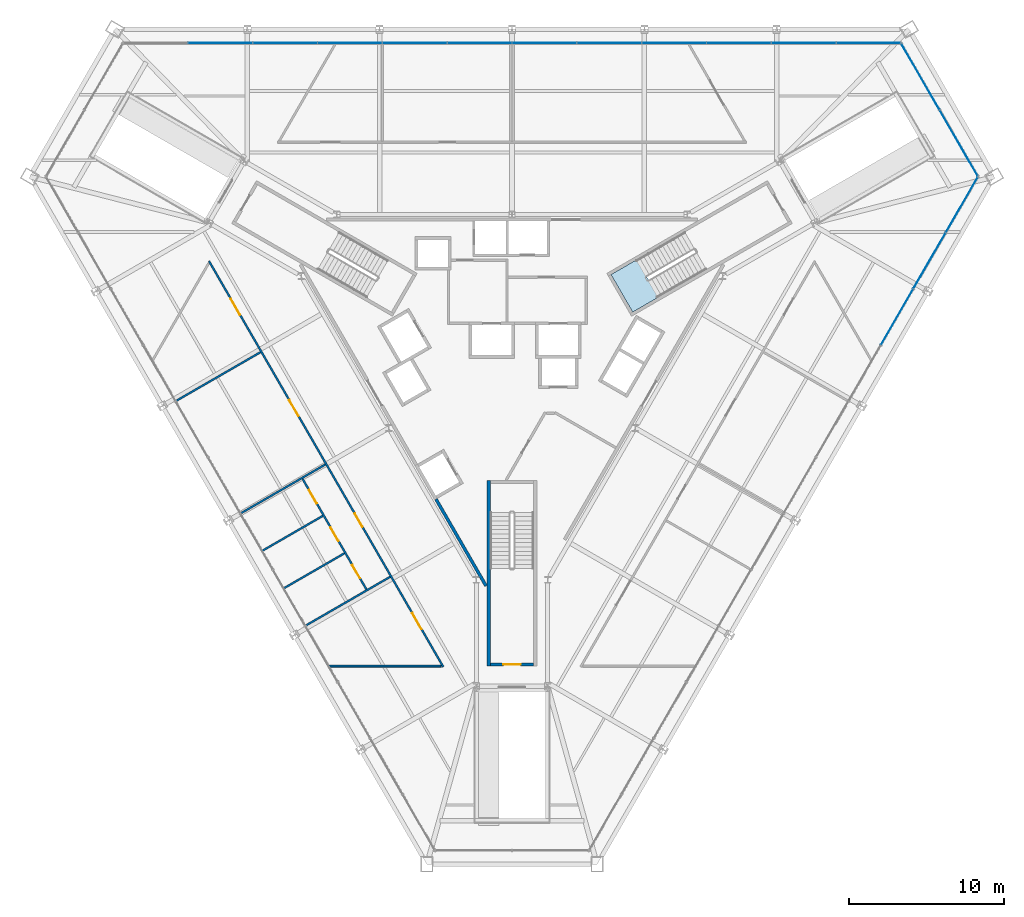
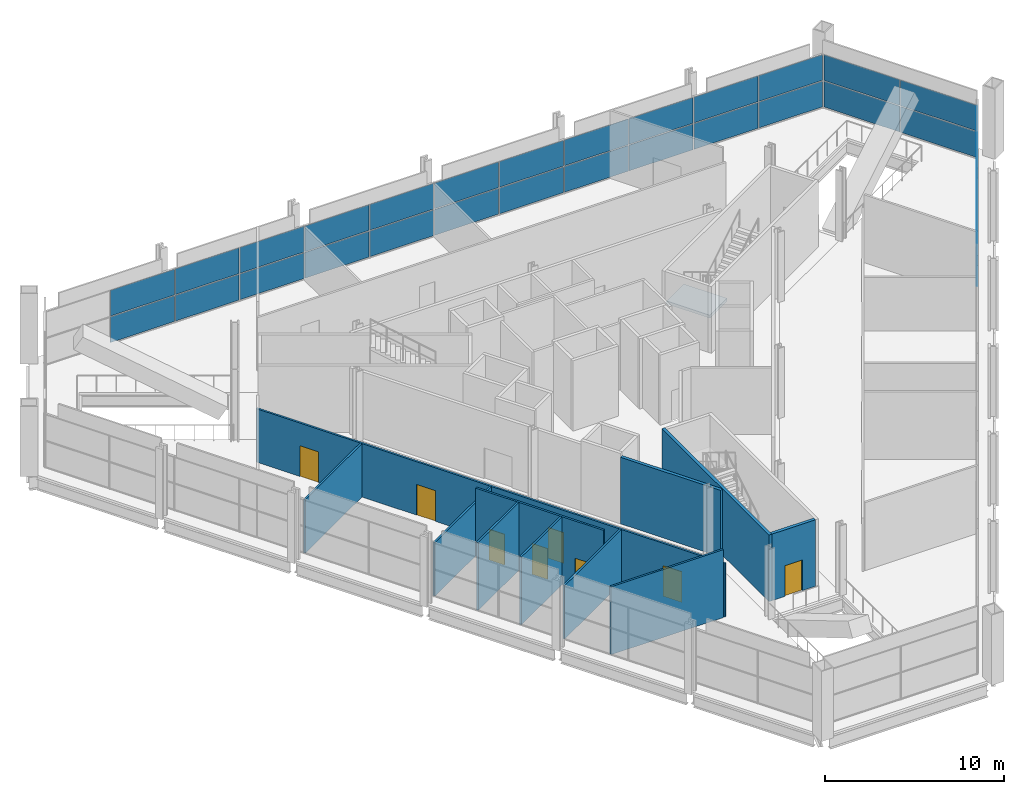
# One storey, part 12 of 18: 32 plates, 11 walls, 8 doors, 1 slab, 8 openings, 4 elements without a shape of their own.
"""IFC4 building model written with IfcOpenShell, lengths in metres."""

from ifc_helpers import new_model, si_unit, direction, frame, frame_2d, origin, origin_2d, place, context, subcontext, project, spatial, polyline, rectangle, outline, extrude, material, layer, layer_set, type_object, element, fill, aggregate, save


model = new_model("IFC4")

# Units and contexts
model_context = context("Model", 3, precision=1e-05, world=origin(), true_north=direction((0.0, 1.0)))
body_context = subcontext(model_context, "Body", "Model", "MODEL_VIEW")
ifc_project = project(units=[si_unit("LENGTHUNIT", "METRE"), si_unit("AREAUNIT", "SQUARE_METRE"), si_unit("VOLUMEUNIT", "CUBIC_METRE"), si_unit("PLANEANGLEUNIT", "RADIAN"), si_unit("MASSUNIT", "GRAM", prefix="KILO")], contexts=[model_context])

# Site, building, storey
site_placement = place(None, origin())
site = spatial("IfcSite", under=ifc_project, at=site_placement, CompositionType="ELEMENT")
building_placement = place(site_placement, origin())
building = spatial("IfcBuilding", under=site, at=building_placement, Name="Verrane Prism Tower", CompositionType="ELEMENT")
storey_placement = place(building_placement, frame((0.0, 0.0, 22.39990234375)))
storey = spatial("IfcBuildingStorey", under=building, at=storey_placement, Name="L03", CompositionType="ELEMENT", Elevation=22.39990234375)

# Curtain wall, plates
ifc_material_1 = material(Name="Aluminium and glass curtain wall", Category="aluminium")
ifc_layer_1 = layer(ifc_material_1, 0.199951171875)
ifc_layer_set_1 = layer_set([ifc_layer_1], Name="CWB-1 retail curtain wall")
curtain_wall_type = type_object("IfcCurtainWallType", Name="CWB-1 retail curtain wall", PredefinedType="NOTDEFINED", material=ifc_layer_set_1)
curtain_wall_1_placement = place(storey_placement, origin())
curtain_wall_1 = element("IfcCurtainWall", 1, at=curtain_wall_1_placement, inside=storey, type_object=curtain_wall_type, Name="Retail curtain wall L03 1", PredefinedType="NOTDEFINED")
ifc_material_2 = material(Name="Glass double glazed low-e", Category="glass")
ifc_layer_2 = layer(ifc_material_2, 0.028076171875)
ifc_layer_set_2 = layer_set([ifc_layer_2], Name="CWB-P 28 mm low-e glass panel")
plate_type = type_object("IfcPlateType", Name="CWB-P 28 mm low-e glass panel", PredefinedType="CURTAIN_PANEL", material=ifc_layer_set_2)
plate_1_placement = place(storey_placement, frame((28.875732421875, 13.813232421875, 0.06005859375), z_axis=(0.0, 0.0, 1.0), x_axis=(-0.499999190758, 0.866025871, 0.0)))
plate_1 = element("IfcPlate", 2, at=plate_1_placement, type_object=plate_type, Name="CWB31 panel 1.1", PredefinedType="CURTAIN_PANEL", context=body_context, shape_type="SweptSolid", body=[
    extrude(rectangle(XDim=4.890380859375, YDim=0.028076171875, at=origin_2d()), origin(), (0.0, 0.0, 1.0), 1.7548828125),
])
plate_2_placement = place(storey_placement, frame((28.875732421875, 13.813232421875, 1.875244140625), z_axis=(0.0, 0.0, 1.0), x_axis=(-0.499999190758, 0.866025871, 0.0)))
plate_2 = element("IfcPlate", 3, at=plate_2_placement, type_object=plate_type, Name="CWB31 panel 1.2", PredefinedType="CURTAIN_PANEL", context=body_context, shape_type="SweptSolid", body=[
    extrude(rectangle(XDim=4.890380859375, YDim=0.028076171875, at=origin_2d()), origin(), (0.0, 0.0, 1.0), 1.7548828125),
])
plate_3_placement = place(storey_placement, frame((26.400390625, 18.100341796875, 0.06005859375), z_axis=(0.0, 0.0, 1.0), x_axis=(-0.499999190758, 0.866025871, 0.0)))
plate_3 = element("IfcPlate", 4, at=plate_3_placement, type_object=plate_type, Name="CWB31 panel 2.1", PredefinedType="CURTAIN_PANEL", context=body_context, shape_type="SweptSolid", body=[
    extrude(rectangle(XDim=4.890380859375, YDim=0.028076171875, at=origin_2d()), origin(), (0.0, 0.0, 1.0), 1.7548828125),
])
plate_4_placement = place(storey_placement, frame((26.400390625, 18.100341796875, 1.875244140625), z_axis=(0.0, 0.0, 1.0), x_axis=(-0.499999190758, 0.866025871, 0.0)))
plate_4 = element("IfcPlate", 5, at=plate_4_placement, type_object=plate_type, Name="CWB31 panel 2.2", PredefinedType="CURTAIN_PANEL", context=body_context, shape_type="SweptSolid", body=[
    extrude(rectangle(XDim=4.890380859375, YDim=0.028076171875, at=origin_2d()), origin(), (0.0, 0.0, 1.0), 1.7548828125),
])
aggregate(curtain_wall_1, [plate_1, plate_2, plate_3, plate_4])

curtain_wall_2_placement = place(storey_placement, origin())
curtain_wall_2 = element("IfcCurtainWall", 6, at=curtain_wall_2_placement, inside=storey, type_object=curtain_wall_type, Name="Retail curtain wall L03 2", PredefinedType="NOTDEFINED")
plate_5_placement = place(storey_placement, frame((23.037109375, 20.27001953125, 0.06005859375), z_axis=(0.0, 0.0, 1.0), x_axis=(-1.0, 0.0, 0.0)))
plate_5 = element("IfcPlate", 7, at=plate_5_placement, type_object=plate_type, Name="CWB32 panel 1.1", PredefinedType="CURTAIN_PANEL", context=body_context, shape_type="SweptSolid", body=[
    extrude(rectangle(XDim=4.101318359375, YDim=0.028076171875, at=origin_2d()), origin(), (0.0, 0.0, 1.0), 1.7548828125),
])
plate_6_placement = place(storey_placement, frame((23.037109375, 20.27001953125, 1.875244140625), z_axis=(0.0, 0.0, 1.0), x_axis=(-1.0, 0.0, 0.0)))
plate_6 = element("IfcPlate", 8, at=plate_6_placement, type_object=plate_type, Name="CWB32 panel 1.2", PredefinedType="CURTAIN_PANEL", context=body_context, shape_type="SweptSolid", body=[
    extrude(rectangle(XDim=4.101318359375, YDim=0.028076171875, at=origin_2d()), origin(), (0.0, 0.0, 1.0), 1.7548828125),
])
plate_7_placement = place(storey_placement, frame((18.86083984375, 20.27001953125, 0.06005859375), z_axis=(0.0, 0.0, 1.0), x_axis=(-1.0, 0.0, 0.0)))
plate_7 = element("IfcPlate", 9, at=plate_7_placement, type_object=plate_type, Name="CWB32 panel 2.1", PredefinedType="CURTAIN_PANEL", context=body_context, shape_type="SweptSolid", body=[
    extrude(rectangle(XDim=4.13134765625, YDim=0.028076171875, at=origin_2d()), origin(), (0.0, 0.0, 1.0), 1.7548828125),
])
plate_8_placement = place(storey_placement, frame((18.86083984375, 20.27001953125, 1.875244140625), z_axis=(0.0, 0.0, 1.0), x_axis=(-1.0, 0.0, 0.0)))
plate_8 = element("IfcPlate", 10, at=plate_8_placement, type_object=plate_type, Name="CWB32 panel 2.2", PredefinedType="CURTAIN_PANEL", context=body_context, shape_type="SweptSolid", body=[
    extrude(rectangle(XDim=4.13134765625, YDim=0.028076171875, at=origin_2d()), origin(), (0.0, 0.0, 1.0), 1.7548828125),
])
plate_9_placement = place(storey_placement, frame((14.669677734375, 20.27001953125, 0.06005859375), z_axis=(0.0, 0.0, 1.0), x_axis=(-1.0, 0.0, 0.0)))
plate_9 = element("IfcPlate", 11, at=plate_9_placement, type_object=plate_type, Name="CWB32 panel 3.1", PredefinedType="CURTAIN_PANEL", context=body_context, shape_type="SweptSolid", body=[
    extrude(rectangle(XDim=4.13134765625, YDim=0.028076171875, at=origin_2d()), origin(), (0.0, 0.0, 1.0), 1.7548828125),
])
plate_10_placement = place(storey_placement, frame((14.669677734375, 20.27001953125, 1.875244140625), z_axis=(0.0, 0.0, 1.0), x_axis=(-1.0, 0.0, 0.0)))
plate_10 = element("IfcPlate", 12, at=plate_10_placement, type_object=plate_type, Name="CWB32 panel 3.2", PredefinedType="CURTAIN_PANEL", context=body_context, shape_type="SweptSolid", body=[
    extrude(rectangle(XDim=4.13134765625, YDim=0.028076171875, at=origin_2d()), origin(), (0.0, 0.0, 1.0), 1.7548828125),
])
plate_11_placement = place(storey_placement, frame((10.478271484375, 20.27001953125, 0.06005859375), z_axis=(0.0, 0.0, 1.0), x_axis=(-1.0, 0.0, 0.0)))
plate_11 = element("IfcPlate", 13, at=plate_11_placement, type_object=plate_type, Name="CWB32 panel 4.1", PredefinedType="CURTAIN_PANEL", context=body_context, shape_type="SweptSolid", body=[
    extrude(rectangle(XDim=4.13134765625, YDim=0.028076171875, at=origin_2d()), origin(), (0.0, 0.0, 1.0), 1.7548828125),
])
plate_12_placement = place(storey_placement, frame((10.478271484375, 20.27001953125, 1.875244140625), z_axis=(0.0, 0.0, 1.0), x_axis=(-1.0, 0.0, 0.0)))
plate_12 = element("IfcPlate", 14, at=plate_12_placement, type_object=plate_type, Name="CWB32 panel 4.2", PredefinedType="CURTAIN_PANEL", context=body_context, shape_type="SweptSolid", body=[
    extrude(rectangle(XDim=4.13134765625, YDim=0.028076171875, at=origin_2d()), origin(), (0.0, 0.0, 1.0), 1.7548828125),
])
plate_13_placement = place(storey_placement, frame((6.286865234375, 20.27001953125, 0.06005859375), z_axis=(0.0, 0.0, 1.0), x_axis=(-1.0, 0.0, 0.0)))
plate_13 = element("IfcPlate", 15, at=plate_13_placement, type_object=plate_type, Name="CWB32 panel 5.1", PredefinedType="CURTAIN_PANEL", context=body_context, shape_type="SweptSolid", body=[
    extrude(rectangle(XDim=4.13134765625, YDim=0.028076171875, at=origin_2d()), origin(), (0.0, 0.0, 1.0), 1.7548828125),
])
plate_14_placement = place(storey_placement, frame((6.286865234375, 20.27001953125, 1.875244140625), z_axis=(0.0, 0.0, 1.0), x_axis=(-1.0, 0.0, 0.0)))
plate_14 = element("IfcPlate", 16, at=plate_14_placement, type_object=plate_type, Name="CWB32 panel 5.2", PredefinedType="CURTAIN_PANEL", context=body_context, shape_type="SweptSolid", body=[
    extrude(rectangle(XDim=4.13134765625, YDim=0.028076171875, at=origin_2d()), origin(), (0.0, 0.0, 1.0), 1.7548828125),
])
plate_15_placement = place(storey_placement, frame((2.095703125, 20.27001953125, 0.06005859375), z_axis=(0.0, 0.0, 1.0), x_axis=(-1.0, 0.0, 0.0)))
plate_15 = element("IfcPlate", 17, at=plate_15_placement, type_object=plate_type, Name="CWB32 panel 6.1", PredefinedType="CURTAIN_PANEL", context=body_context, shape_type="SweptSolid", body=[
    extrude(rectangle(XDim=4.13134765625, YDim=0.028076171875, at=origin_2d()), origin(), (0.0, 0.0, 1.0), 1.7548828125),
])
plate_16_placement = place(storey_placement, frame((2.095703125, 20.27001953125, 1.875244140625), z_axis=(0.0, 0.0, 1.0), x_axis=(-1.0, 0.0, 0.0)))
plate_16 = element("IfcPlate", 18, at=plate_16_placement, type_object=plate_type, Name="CWB32 panel 6.2", PredefinedType="CURTAIN_PANEL", context=body_context, shape_type="SweptSolid", body=[
    extrude(rectangle(XDim=4.13134765625, YDim=0.028076171875, at=origin_2d()), origin(), (0.0, 0.0, 1.0), 1.7548828125),
])
plate_17_placement = place(storey_placement, frame((-2.095703125, 20.27001953125, 0.06005859375), z_axis=(0.0, 0.0, 1.0), x_axis=(-1.0, 0.0, 0.0)))
plate_17 = element("IfcPlate", 19, at=plate_17_placement, type_object=plate_type, Name="CWB32 panel 7.1", PredefinedType="CURTAIN_PANEL", context=body_context, shape_type="SweptSolid", body=[
    extrude(rectangle(XDim=4.13134765625, YDim=0.028076171875, at=origin_2d()), origin(), (0.0, 0.0, 1.0), 1.7548828125),
])
plate_18_placement = place(storey_placement, frame((-2.095703125, 20.27001953125, 1.875244140625), z_axis=(0.0, 0.0, 1.0), x_axis=(-1.0, 0.0, 0.0)))
plate_18 = element("IfcPlate", 20, at=plate_18_placement, type_object=plate_type, Name="CWB32 panel 7.2", PredefinedType="CURTAIN_PANEL", context=body_context, shape_type="SweptSolid", body=[
    extrude(rectangle(XDim=4.13134765625, YDim=0.028076171875, at=origin_2d()), origin(), (0.0, 0.0, 1.0), 1.7548828125),
])
plate_19_placement = place(storey_placement, frame((-6.286865234375, 20.27001953125, 0.06005859375), z_axis=(0.0, 0.0, 1.0), x_axis=(-1.0, 0.0, 0.0)))
plate_19 = element("IfcPlate", 21, at=plate_19_placement, type_object=plate_type, Name="CWB32 panel 8.1", PredefinedType="CURTAIN_PANEL", context=body_context, shape_type="SweptSolid", body=[
    extrude(rectangle(XDim=4.13134765625, YDim=0.028076171875, at=origin_2d()), origin(), (0.0, 0.0, 1.0), 1.7548828125),
])
plate_20_placement = place(storey_placement, frame((-6.286865234375, 20.27001953125, 1.875244140625), z_axis=(0.0, 0.0, 1.0), x_axis=(-1.0, 0.0, 0.0)))
plate_20 = element("IfcPlate", 22, at=plate_20_placement, type_object=plate_type, Name="CWB32 panel 8.2", PredefinedType="CURTAIN_PANEL", context=body_context, shape_type="SweptSolid", body=[
    extrude(rectangle(XDim=4.13134765625, YDim=0.028076171875, at=origin_2d()), origin(), (0.0, 0.0, 1.0), 1.7548828125),
])
plate_21_placement = place(storey_placement, frame((-10.478271484375, 20.27001953125, 0.06005859375), z_axis=(0.0, 0.0, 1.0), x_axis=(-1.0, 0.0, 0.0)))
plate_21 = element("IfcPlate", 23, at=plate_21_placement, type_object=plate_type, Name="CWB32 panel 9.1", PredefinedType="CURTAIN_PANEL", context=body_context, shape_type="SweptSolid", body=[
    extrude(rectangle(XDim=4.13134765625, YDim=0.028076171875, at=origin_2d()), origin(), (0.0, 0.0, 1.0), 1.7548828125),
])
plate_22_placement = place(storey_placement, frame((-10.478271484375, 20.27001953125, 1.875244140625), z_axis=(0.0, 0.0, 1.0), x_axis=(-1.0, 0.0, 0.0)))
plate_22 = element("IfcPlate", 24, at=plate_22_placement, type_object=plate_type, Name="CWB32 panel 9.2", PredefinedType="CURTAIN_PANEL", context=body_context, shape_type="SweptSolid", body=[
    extrude(rectangle(XDim=4.13134765625, YDim=0.028076171875, at=origin_2d()), origin(), (0.0, 0.0, 1.0), 1.7548828125),
])
plate_23_placement = place(storey_placement, frame((-14.669677734375, 20.27001953125, 0.06005859375), z_axis=(0.0, 0.0, 1.0), x_axis=(-1.0, 0.0, 0.0)))
plate_23 = element("IfcPlate", 25, at=plate_23_placement, type_object=plate_type, Name="CWB32 panel 10.1", PredefinedType="CURTAIN_PANEL", context=body_context, shape_type="SweptSolid", body=[
    extrude(rectangle(XDim=4.13134765625, YDim=0.028076171875, at=origin_2d()), origin(), (0.0, 0.0, 1.0), 1.7548828125),
])
plate_24_placement = place(storey_placement, frame((-14.669677734375, 20.27001953125, 1.875244140625), z_axis=(0.0, 0.0, 1.0), x_axis=(-1.0, 0.0, 0.0)))
plate_24 = element("IfcPlate", 26, at=plate_24_placement, type_object=plate_type, Name="CWB32 panel 10.2", PredefinedType="CURTAIN_PANEL", context=body_context, shape_type="SweptSolid", body=[
    extrude(rectangle(XDim=4.13134765625, YDim=0.028076171875, at=origin_2d()), origin(), (0.0, 0.0, 1.0), 1.7548828125),
])
plate_25_placement = place(storey_placement, frame((-18.86083984375, 20.27001953125, 0.06005859375), z_axis=(0.0, 0.0, 1.0), x_axis=(-1.0, 0.0, 0.0)))
plate_25 = element("IfcPlate", 27, at=plate_25_placement, type_object=plate_type, Name="CWB32 panel 11.1", PredefinedType="CURTAIN_PANEL", context=body_context, shape_type="SweptSolid", body=[
    extrude(rectangle(XDim=4.13134765625, YDim=0.028076171875, at=origin_2d()), origin(), (0.0, 0.0, 1.0), 1.7548828125),
])
plate_26_placement = place(storey_placement, frame((-18.86083984375, 20.27001953125, 1.875244140625), z_axis=(0.0, 0.0, 1.0), x_axis=(-1.0, 0.0, 0.0)))
plate_26 = element("IfcPlate", 28, at=plate_26_placement, type_object=plate_type, Name="CWB32 panel 11.2", PredefinedType="CURTAIN_PANEL", context=body_context, shape_type="SweptSolid", body=[
    extrude(rectangle(XDim=4.13134765625, YDim=0.028076171875, at=origin_2d()), origin(), (0.0, 0.0, 1.0), 1.7548828125),
])
aggregate(curtain_wall_2, [plate_5, plate_6, plate_7, plate_8, plate_9, plate_10, plate_11, plate_12, plate_13, plate_14, plate_15, plate_16, plate_17, plate_18, plate_19, plate_20, plate_21, plate_22, plate_23, plate_24, plate_25, plate_26])

curtain_wall_3_placement = place(storey_placement, origin())
curtain_wall_3 = element("IfcCurtainWall", 29, at=curtain_wall_3_placement, inside=storey, type_object=curtain_wall_type, Name="Retail curtain wall L03 6", PredefinedType="NOTDEFINED")
plate_27_placement = place(storey_placement, frame((24.88916015625, 2.5693359375, 0.06005859375), z_axis=(0.0, 0.0, 1.0), x_axis=(0.50000011897, 0.866025335097, 0.0)))
plate_27 = element("IfcPlate", 30, at=plate_27_placement, type_object=plate_type, Name="CWB36 panel 10.1", PredefinedType="CURTAIN_PANEL", context=body_context, shape_type="SweptSolid", body=[
    extrude(rectangle(XDim=4.13134765625, YDim=0.028076171875, at=origin_2d()), origin(), (0.0, 0.0, 1.0), 1.7548828125),
])
plate_28_placement = place(storey_placement, frame((24.88916015625, 2.5693359375, 1.875244140625), z_axis=(0.0, 0.0, 1.0), x_axis=(0.50000011897, 0.866025335097, 0.0)))
plate_28 = element("IfcPlate", 31, at=plate_28_placement, type_object=plate_type, Name="CWB36 panel 10.2", PredefinedType="CURTAIN_PANEL", context=body_context, shape_type="SweptSolid", body=[
    extrude(rectangle(XDim=4.13134765625, YDim=0.028076171875, at=origin_2d()), origin(), (0.0, 0.0, 1.0), 1.7548828125),
])
plate_29_placement = place(storey_placement, frame((26.98486328125, 6.198974609375, 0.06005859375), z_axis=(0.0, 0.0, 1.0), x_axis=(0.50000011897, 0.866025335097, 0.0)))
plate_29 = element("IfcPlate", 32, at=plate_29_placement, type_object=plate_type, Name="CWB36 panel 11.1", PredefinedType="CURTAIN_PANEL", context=body_context, shape_type="SweptSolid", body=[
    extrude(rectangle(XDim=4.13134765625, YDim=0.028076171875, at=origin_2d()), origin(), (0.0, 0.0, 1.0), 1.7548828125),
])
plate_30_placement = place(storey_placement, frame((26.98486328125, 6.198974609375, 1.875244140625), z_axis=(0.0, 0.0, 1.0), x_axis=(0.50000011897, 0.866025335097, 0.0)))
plate_30 = element("IfcPlate", 33, at=plate_30_placement, type_object=plate_type, Name="CWB36 panel 11.2", PredefinedType="CURTAIN_PANEL", context=body_context, shape_type="SweptSolid", body=[
    extrude(rectangle(XDim=4.13134765625, YDim=0.028076171875, at=origin_2d()), origin(), (0.0, 0.0, 1.0), 1.7548828125),
])
plate_31_placement = place(storey_placement, frame((29.072998046875, 9.81591796875, 0.06005859375), z_axis=(0.0, 0.0, 1.0), x_axis=(0.50000011897, 0.866025335097, 0.0)))
plate_31 = element("IfcPlate", 34, at=plate_31_placement, type_object=plate_type, Name="CWB36 panel 12.1", PredefinedType="CURTAIN_PANEL", context=body_context, shape_type="SweptSolid", body=[
    extrude(rectangle(XDim=4.101318359375, YDim=0.028076171875, at=origin_2d()), origin(), (0.0, 0.0, 1.0), 1.7548828125),
])
plate_32_placement = place(storey_placement, frame((29.072998046875, 9.81591796875, 1.875244140625), z_axis=(0.0, 0.0, 1.0), x_axis=(0.50000011897, 0.866025335097, 0.0)))
plate_32 = element("IfcPlate", 35, at=plate_32_placement, type_object=plate_type, Name="CWB36 panel 12.2", PredefinedType="CURTAIN_PANEL", context=body_context, shape_type="SweptSolid", body=[
    extrude(rectangle(XDim=4.101318359375, YDim=0.028076171875, at=origin_2d()), origin(), (0.0, 0.0, 1.0), 1.7548828125),
])
aggregate(curtain_wall_3, [plate_27, plate_28, plate_29, plate_30, plate_31, plate_32])

# Stair, slab
ifc_material_3 = material(Name="Concrete C40/50", Category="concrete")
stair_type = type_object("IfcStairType", Name="Exit stair 1300 dog-leg precast concrete C40/50", PredefinedType="HALF_TURN_STAIR", material=ifc_material_3)
stair_placement = place(storey_placement, origin())
stair = element("IfcStair", 36, at=stair_placement, inside=storey, type_object=stair_type, Name="Stair 1 L03", PredefinedType="HALF_TURN_STAIR")
ifc_material_4 = material(Name="Concrete C40/50", Category="concrete")
ifc_layer_3 = layer(ifc_material_4, 0.199951171875)
ifc_layer_set_3 = layer_set([ifc_layer_3], Name="Stair landing 200 precast concrete C40/50")
slab_type = type_object("IfcSlabType", Name="Stair landing 200 precast concrete C40/50", PredefinedType="LANDING", material=ifc_layer_set_3)
slab_placement = place(storey_placement, frame((0.0, 0.0, 2.2001953125)))
slab = element("IfcSlab", 37, at=slab_placement, type_object=slab_type, Name="Stair 1 landing 1", PredefinedType="LANDING", context=body_context, shape_type="SweptSolid", body=[
    extrude(outline(polyline([(8.064208984375, 6.2724609375), (6.4013671875, 5.3125), (7.801513671875, 2.887451171875), (9.464111328125, 3.84765625), (8.064208984375, 6.2724609375)])), origin(), (0.0, 0.0, 1.0), 0.199951171875),
])
aggregate(stair, [slab])

# Walls
ifc_material_5 = material(Name="Gypsum board partition", Category="other")
ifc_layer_4 = layer(ifc_material_5, 0.125)
ifc_layer_set_4 = layer_set([ifc_layer_4], Name="BW-125 demising wall 1 h")
wall_type_1 = type_object("IfcWallType", Name="BW-125 demising wall 1 h", PredefinedType="PARTITIONING", material=ifc_layer_set_4)
wall_1_placement = place(storey_placement, frame((-21.74609375, -2.875, 0.0), z_axis=(0.0, 0.0, 1.0), x_axis=(0.866118237319, 0.499839173118, 0.0)))
element("IfcWall", 38, at=wall_1_placement, inside=storey, type_object=wall_type_1, Name="Demising wall 002", PredefinedType="PARTITIONING", context=body_context, shape_type="SweptSolid", body=[
    extrude(rectangle(XDim=6.33740234375, YDim=0.125, at=frame_2d((3.168701171875, 0.0))), origin(), (0.0, 0.0, 1.0), 3.653076171875),
])
ifc_material_6 = material(Name="Gypsum board partition", Category="other")
ifc_layer_5 = layer(ifc_material_6, 0.125)
ifc_layer_set_5 = layer_set([ifc_layer_5], Name="BW-125 plumbing wall")
wall_type_2 = type_object("IfcWallType", Name="BW-125 plumbing wall", PredefinedType="PARTITIONING", material=ifc_layer_set_5)
wall_2_placement = place(storey_placement, frame((-17.553955078125, -10.135009765625, 0.0), z_axis=(0.0, 0.0, 1.0), x_axis=(0.866003371142, 0.500038159714, 0.0)))
element("IfcWall", 39, at=wall_2_placement, inside=storey, type_object=wall_type_2, Name="Plumbing wall 004", PredefinedType="PARTITIONING", context=body_context, shape_type="SweptSolid", body=[
    extrude(rectangle(XDim=6.3369140625, YDim=0.125, at=frame_2d((3.16845703125, 0.0))), origin(), (0.0, 0.0, 1.0), 3.653076171875),
])
wall_3_placement = place(storey_placement, frame((-16.156982421875, -12.554931640625, 0.0), z_axis=(0.0, 0.0, 1.0), x_axis=(0.866009042838, 0.50002833692, 0.0)))
element("IfcWall", 40, at=wall_3_placement, inside=storey, type_object=wall_type_2, Name="Plumbing wall 005", PredefinedType="PARTITIONING", context=body_context, shape_type="SweptSolid", body=[
    extrude(rectangle(XDim=4.536865234375, YDim=0.125, at=frame_2d((2.2685546875, 0.0))), origin(), (0.0, 0.0, 1.0), 4.64013671875),
])
wall_4_placement = place(storey_placement, frame((-14.760009765625, -14.97509765625, 0.0), z_axis=(0.0, 0.0, 1.0), x_axis=(0.866030417568, 0.499991315771, 0.0)))
element("IfcWall", 41, at=wall_4_placement, inside=storey, type_object=wall_type_2, Name="Plumbing wall 008", PredefinedType="PARTITIONING", context=body_context, shape_type="SweptSolid", body=[
    extrude(rectangle(XDim=4.53271484375, YDim=0.125, at=frame_2d((2.266357421875, 0.0))), origin(), (0.0, 0.0, 1.0), 4.64013671875),
])

# Wall, openings, doors
wall_5_placement = place(storey_placement, frame((-9.41015625, -15.040771484375, 0.0), z_axis=(0.0, 0.0, 1.0), x_axis=(-0.500068128175, 0.865986066391, 0.0)))
wall_5 = element("IfcWall", 42, at=wall_5_placement, inside=storey, type_object=wall_type_2, Name="Plumbing wall 009", PredefinedType="PARTITIONING", context=body_context, shape_type="SweptSolid", body=[
    extrude(rectangle(XDim=8.253173828125, YDim=0.125, at=frame_2d((4.12646484375, 0.0))), origin(), (0.0, 0.0, 1.0), 4.64013671875),
])
opening_1_placement = place(wall_5_placement, frame((6.4208984375, 0.0, 0.0)))
opening_1 = element("IfcOpeningElement", 43, at=opening_1_placement, cuts=wall_5, Name="Opening D03007", PredefinedType="OPENING", context=body_context, shape_type="SweptSolid", body=[
    extrude(rectangle(XDim=1.0, YDim=2.10009765625, at=frame_2d((0.5, 1.050048828125))), frame((0.0, 0.072509765625, 0.0), z_axis=(0.0, -1.0, 0.0), x_axis=(1.0, 0.0, 0.0)), (0.0, 0.0, 1.0), 0.14501953125),
])
opening_2_placement = place(wall_5_placement, frame((3.626953125, 0.0, 0.0)))
opening_2 = element("IfcOpeningElement", 44, at=opening_2_placement, cuts=wall_5, Name="Opening D03008", PredefinedType="OPENING", context=body_context, shape_type="SweptSolid", body=[
    extrude(rectangle(XDim=1.0, YDim=2.10009765625, at=frame_2d((0.5, 1.050048828125))), frame((0.0, 0.072509765625, 0.0), z_axis=(0.0, -1.0, 0.0), x_axis=(1.0, 0.0, 0.0)), (0.0, 0.0, 1.0), 0.14501953125),
])
opening_3_placement = place(wall_5_placement, frame((0.831787109375, 0.0, 0.0)))
opening_3 = element("IfcOpeningElement", 45, at=opening_3_placement, cuts=wall_5, Name="Opening D03009", PredefinedType="OPENING", context=body_context, shape_type="SweptSolid", body=[
    extrude(rectangle(XDim=1.0, YDim=2.10009765625, at=frame_2d((0.5, 1.050048828125))), frame((0.0, 0.072509765625, 0.0), z_axis=(0.0, -1.0, 0.0), x_axis=(1.0, 0.0, 0.0)), (0.0, 0.0, 1.0), 0.14501953125),
])
ifc_material_7 = material(Name="Timber veneered door leaf", Category="wood")
door_type_1 = type_object("IfcDoorType", Name="DR-1000x2100 single leaf room", OperationType="NOTDEFINED", PredefinedType="DOOR", material=ifc_material_7)
door_1_placement = place(opening_1_placement, origin())
door_1 = element("IfcDoor", 46, at=door_1_placement, inside=storey, type_object=door_type_1, Name="Door Men's WC 03SW", OperationType="SINGLE_SWING_RIGHT", OverallHeight=2.10009765625, OverallWidth=1.0, PredefinedType="DOOR", context=body_context, shape_type="SweptSolid", body=[
    extrude(rectangle(XDim=1.0, YDim=2.10009765625, at=frame_2d((0.5, 1.050048828125))), frame((0.0, 0.02490234375, 0.0), z_axis=(0.0, -1.0, 0.0), x_axis=(1.0, 0.0, 0.0)), (0.0, 0.0, 1.0), 0.050048828125),
])
fill(opening_1, door_1)
door_2_placement = place(opening_2_placement, origin())
door_2 = element("IfcDoor", 47, at=door_2_placement, inside=storey, type_object=door_type_1, Name="Door Women's WC 03SW", OperationType="SINGLE_SWING_LEFT", OverallHeight=2.10009765625, OverallWidth=1.0, PredefinedType="DOOR", context=body_context, shape_type="SweptSolid", body=[
    extrude(rectangle(XDim=1.0, YDim=2.10009765625, at=frame_2d((0.5, 1.050048828125))), frame((0.0, 0.02490234375, 0.0), z_axis=(0.0, -1.0, 0.0), x_axis=(1.0, 0.0, 0.0)), (0.0, 0.0, 1.0), 0.050048828125),
])
fill(opening_2, door_2)
door_3_placement = place(opening_3_placement, origin())
door_3 = element("IfcDoor", 48, at=door_3_placement, inside=storey, type_object=door_type_1, Name="Door Accessible WC 03SW", OperationType="SINGLE_SWING_RIGHT", OverallHeight=2.10009765625, OverallWidth=1.0, PredefinedType="DOOR", context=body_context, shape_type="SweptSolid", body=[
    extrude(rectangle(XDim=1.0, YDim=2.10009765625, at=frame_2d((0.5, 1.050048828125))), frame((0.0, 0.02490234375, 0.0), z_axis=(0.0, -1.0, 0.0), x_axis=(1.0, 0.0, 0.0)), (0.0, 0.0, 1.0), 0.050048828125),
])
fill(opening_3, door_3)

# Wall
wall_6_placement = place(storey_placement, frame((-13.363037109375, -17.39501953125, 0.0), z_axis=(0.0, 0.0, 1.0), x_axis=(0.866044997331, 0.499966061446, 0.0)))
element("IfcWall", 49, at=wall_6_placement, inside=storey, type_object=wall_type_2, Name="Plumbing wall 010", PredefinedType="PARTITIONING", context=body_context, shape_type="SweptSolid", body=[
    extrude(rectangle(XDim=6.3330078125, YDim=0.125, at=frame_2d((3.16650390625, 0.0))), origin(), (0.0, 0.0, 1.0), 3.653076171875),
])

# Wall, openings, doors
ifc_material_8 = material(Name="Gypsum board partition", Category="other")
ifc_layer_6 = layer(ifc_material_8, 0.125)
ifc_layer_set_6 = layer_set([ifc_layer_6], Name="BW-125 shopfront wall 1 h")
wall_type_3 = type_object("IfcWallType", Name="BW-125 shopfront wall 1 h", PredefinedType="PARTITIONING", material=ifc_layer_set_6)
wall_7_placement = place(storey_placement, frame((-4.437744140625, -20.05419921875, 0.0), z_axis=(0.0, 0.0, 1.0), x_axis=(-0.499994028088, 0.866028851642, 0.0)))
wall_7 = element("IfcWall", 50, at=wall_7_placement, inside=storey, type_object=wall_type_3, Name="Shopfront wall 003", PredefinedType="PARTITIONING", context=body_context, shape_type="SweptSolid", body=[
    extrude(rectangle(XDim=30.297119140625, YDim=0.125, at=frame_2d((15.1484375, 0.0))), origin(), (0.0, 0.0, 1.0), 3.653076171875),
])
opening_4_placement = place(wall_7_placement, frame((26.28466796875, 0.0, 0.0)))
opening_4 = element("IfcOpeningElement", 51, at=opening_4_placement, cuts=wall_7, Name="Opening D03004", PredefinedType="OPENING", context=body_context, shape_type="SweptSolid", body=[
    extrude(rectangle(XDim=1.199951171875, YDim=2.10009765625, at=frame_2d((0.60009765625, 1.050048828125))), frame((0.0, 0.072509765625, 0.0), z_axis=(0.0, -1.0, 0.0), x_axis=(1.0, 0.0, 0.0)), (0.0, 0.0, 1.0), 0.14501953125),
])
opening_5_placement = place(wall_7_placement, frame((18.730712890625, 0.0, 0.0)))
opening_5 = element("IfcOpeningElement", 52, at=opening_5_placement, cuts=wall_7, Name="Opening D03005", PredefinedType="OPENING", context=body_context, shape_type="SweptSolid", body=[
    extrude(rectangle(XDim=1.199951171875, YDim=2.10009765625, at=frame_2d((0.60009765625, 1.050048828125))), frame((0.0, 0.072509765625, 0.0), z_axis=(0.0, -1.0, 0.0), x_axis=(1.0, 0.0, 0.0)), (0.0, 0.0, 1.0), 0.14501953125),
])
opening_6_placement = place(wall_7_placement, frame((10.44873046875, 0.0, 0.0)))
opening_6 = element("IfcOpeningElement", 53, at=opening_6_placement, cuts=wall_7, Name="Opening D03006", PredefinedType="OPENING", context=body_context, shape_type="SweptSolid", body=[
    extrude(rectangle(XDim=1.0, YDim=2.10009765625, at=frame_2d((0.5, 1.050048828125))), frame((0.0, 0.072509765625, 0.0), z_axis=(0.0, -1.0, 0.0), x_axis=(1.0, 0.0, 0.0)), (0.0, 0.0, 1.0), 0.14501953125),
])
opening_7_placement = place(wall_7_placement, frame((2.815673828125, 0.0, 0.0)))
opening_7 = element("IfcOpeningElement", 54, at=opening_7_placement, cuts=wall_7, Name="Opening D03010", PredefinedType="OPENING", context=body_context, shape_type="SweptSolid", body=[
    extrude(rectangle(XDim=1.199951171875, YDim=2.10009765625, at=frame_2d((0.60009765625, 1.050048828125))), frame((0.0, 0.072509765625, 0.0), z_axis=(0.0, -1.0, 0.0), x_axis=(1.0, 0.0, 0.0)), (0.0, 0.0, 1.0), 0.14501953125),
])
ifc_material_9 = material(Name="Timber veneered door leaf", Category="wood")
door_type_2 = type_object("IfcDoorType", Name="DR-1000x2100 FD20 single leaf wc lobby", OperationType="NOTDEFINED", PredefinedType="DOOR", material=ifc_material_9)
door_4_placement = place(opening_6_placement, origin())
door_4 = element("IfcDoor", 55, at=door_4_placement, inside=storey, type_object=door_type_2, Name="Door WC Lobby 03SW", OperationType="SINGLE_SWING_LEFT", OverallHeight=2.10009765625, OverallWidth=1.0, PredefinedType="DOOR", context=body_context, shape_type="SweptSolid", body=[
    extrude(rectangle(XDim=1.0, YDim=2.10009765625, at=frame_2d((0.5, 1.050048828125))), frame((0.0, 0.02490234375, 0.0), z_axis=(0.0, -1.0, 0.0), x_axis=(1.0, 0.0, 0.0)), (0.0, 0.0, 1.0), 0.050048828125),
])
fill(opening_6, door_4)
ifc_material_10 = material(Name="Timber veneered door leaf", Category="wood")
door_type_3 = type_object("IfcDoorType", Name="DR-1200x2100 FD20 single leaf shopfront", OperationType="NOTDEFINED", PredefinedType="DOOR", material=ifc_material_10)
door_5_placement = place(opening_4_placement, origin())
door_5 = element("IfcDoor", 56, at=door_5_placement, inside=storey, type_object=door_type_3, Name="Door Shop 0304", OperationType="SINGLE_SWING_LEFT", OverallHeight=2.10009765625, OverallWidth=1.199951171875, PredefinedType="DOOR", context=body_context, shape_type="SweptSolid", body=[
    extrude(rectangle(XDim=1.199951171875, YDim=2.10009765625, at=frame_2d((0.60009765625, 1.050048828125))), frame((0.0, 0.02490234375, 0.0), z_axis=(0.0, -1.0, 0.0), x_axis=(1.0, 0.0, 0.0)), (0.0, 0.0, 1.0), 0.050048828125),
])
fill(opening_4, door_5)
door_6_placement = place(opening_5_placement, origin())
door_6 = element("IfcDoor", 57, at=door_6_placement, inside=storey, type_object=door_type_3, Name="Door Shop 0305", OperationType="SINGLE_SWING_RIGHT", OverallHeight=2.10009765625, OverallWidth=1.199951171875, PredefinedType="DOOR", context=body_context, shape_type="SweptSolid", body=[
    extrude(rectangle(XDim=1.199951171875, YDim=2.10009765625, at=frame_2d((0.60009765625, 1.050048828125))), frame((0.0, 0.02490234375, 0.0), z_axis=(0.0, -1.0, 0.0), x_axis=(1.0, 0.0, 0.0)), (0.0, 0.0, 1.0), 0.050048828125),
])
fill(opening_5, door_6)
door_7_placement = place(opening_7_placement, origin())
door_7 = element("IfcDoor", 58, at=door_7_placement, inside=storey, type_object=door_type_3, Name="Door Shop 0306", OperationType="SINGLE_SWING_LEFT", OverallHeight=2.10009765625, OverallWidth=1.199951171875, PredefinedType="DOOR", context=body_context, shape_type="SweptSolid", body=[
    extrude(rectangle(XDim=1.199951171875, YDim=2.10009765625, at=frame_2d((0.60009765625, 1.050048828125))), frame((0.0, 0.02490234375, 0.0), z_axis=(0.0, -1.0, 0.0), x_axis=(1.0, 0.0, 0.0)), (0.0, 0.0, 1.0), 0.050048828125),
])
fill(opening_7, door_7)

# Walls
wall_8_placement = place(storey_placement, frame((-11.85888671875, -20.0, 0.0), z_axis=(0.0, 0.0, 1.0), x_axis=(1.0, 0.0, 0.0)))
element("IfcWall", 59, at=wall_8_placement, inside=storey, type_object=wall_type_3, Name="Shopfront wall 011", PredefinedType="PARTITIONING", context=body_context, shape_type="SweptSolid", body=[
    extrude(rectangle(XDim=7.284912109375, YDim=0.125, at=frame_2d((3.642578125, 0.0))), origin(), (0.0, 0.0, 1.0), 4.64013671875),
])
ifc_material_11 = material(Name="Gypsum board partition", Category="other")
ifc_layer_7 = layer(ifc_material_11, 0.199951171875)
ifc_layer_set_7 = layer_set([ifc_layer_7], Name="CW-200 core boundary wall 2 h")
wall_type_4 = type_object("IfcWallType", Name="CW-200 core boundary wall 2 h", PredefinedType="PARTITIONING", material=ifc_layer_set_7)
wall_9_placement = place(storey_placement, frame((-4.9140625, -9.2080078125, 0.0), z_axis=(0.0, 0.0, 1.0), x_axis=(0.499947703927, -0.866055594831, 0.0)))
element("IfcWall", 60, at=wall_9_placement, inside=storey, type_object=wall_type_4, Name="Core boundary wall CW3-003", PredefinedType="PARTITIONING", context=body_context, shape_type="SweptSolid", body=[
    extrude(rectangle(XDim=6.473876953125, YDim=0.199951171875, at=frame_2d((3.23681640625, 0.0))), origin(), (0.0, 0.0, 1.0), 4.550048828125),
])

# Wall, opening, door
ifc_material_12 = material(Name="Concrete C40/50", Category="concrete")
ifc_layer_8 = layer(ifc_material_12, 0.199951171875)
ifc_layer_set_8 = layer_set([ifc_layer_8], Name="CW-200 stair core wall concrete C40/50 3 h")
wall_type_5 = type_object("IfcWallType", Name="CW-200 stair core wall concrete C40/50 3 h", PredefinedType="PARTITIONING", material=ifc_layer_set_8)
wall_10_placement = place(storey_placement, frame((-1.39990234375, -19.89990234375, 0.0), z_axis=(0.0, 0.0, 1.0), x_axis=(1.0, 0.0, 0.0)))
wall_10 = element("IfcWall", 61, at=wall_10_placement, inside=storey, type_object=wall_type_5, Name="Stair 3 enclosure wall", PredefinedType="PARTITIONING", context=body_context, shape_type="SweptSolid", body=[
    extrude(rectangle(XDim=2.7998046875, YDim=0.199951171875, at=frame_2d((1.39990234375, 0.0))), origin(), (0.0, 0.0, 1.0), 4.550048828125),
])
opening_8_placement = place(wall_10_placement, frame((0.85009765625, 0.0, 0.0)))
opening_8 = element("IfcOpeningElement", 62, at=opening_8_placement, cuts=wall_10, Name="Opening D03502", PredefinedType="OPENING", context=body_context, shape_type="SweptSolid", body=[
    extrude(rectangle(XDim=1.10009765625, YDim=2.10009765625, at=frame_2d((0.550048828125, 1.050048828125))), frame((0.0, 0.10986328125, 0.0), z_axis=(0.0, -1.0, 0.0), x_axis=(1.0, 0.0, 0.0)), (0.0, 0.0, 1.0), 0.219970703125),
])
ifc_material_13 = material(Name="Timber veneered door leaf", Category="wood")
door_type_4 = type_object("IfcDoorType", Name="DR-1100x2100 FD90 single leaf stair", OperationType="NOTDEFINED", PredefinedType="DOOR", material=ifc_material_13)
door_8_placement = place(opening_8_placement, origin())
door_8 = element("IfcDoor", 63, at=door_8_placement, inside=storey, type_object=door_type_4, Name="Stair 3 door", OperationType="SINGLE_SWING_LEFT", OverallHeight=2.10009765625, OverallWidth=1.10009765625, PredefinedType="DOOR", context=body_context, shape_type="SweptSolid", body=[
    extrude(rectangle(XDim=1.10009765625, YDim=2.10009765625, at=frame_2d((0.550048828125, 1.050048828125))), frame((0.0, 0.02490234375, 0.0), z_axis=(0.0, -1.0, 0.0), x_axis=(1.0, 0.0, 0.0)), (0.0, 0.0, 1.0), 0.050048828125),
])
fill(opening_8, door_8)

# Wall
wall_11_placement = place(storey_placement, frame((-1.5, -8.0, 0.0), z_axis=(0.0, 0.0, 1.0), x_axis=(0.0, -1.0, 0.0)))
element("IfcWall", 64, at=wall_11_placement, inside=storey, type_object=wall_type_5, Name="Stair 3 enclosure wall", PredefinedType="PARTITIONING", context=body_context, shape_type="SweptSolid", body=[
    extrude(rectangle(XDim=12.0, YDim=0.199951171875, at=frame_2d((6.0, 0.0))), origin(), (0.0, 0.0, 1.0), 4.550048828125),
])

save(model, "model.ifc")
